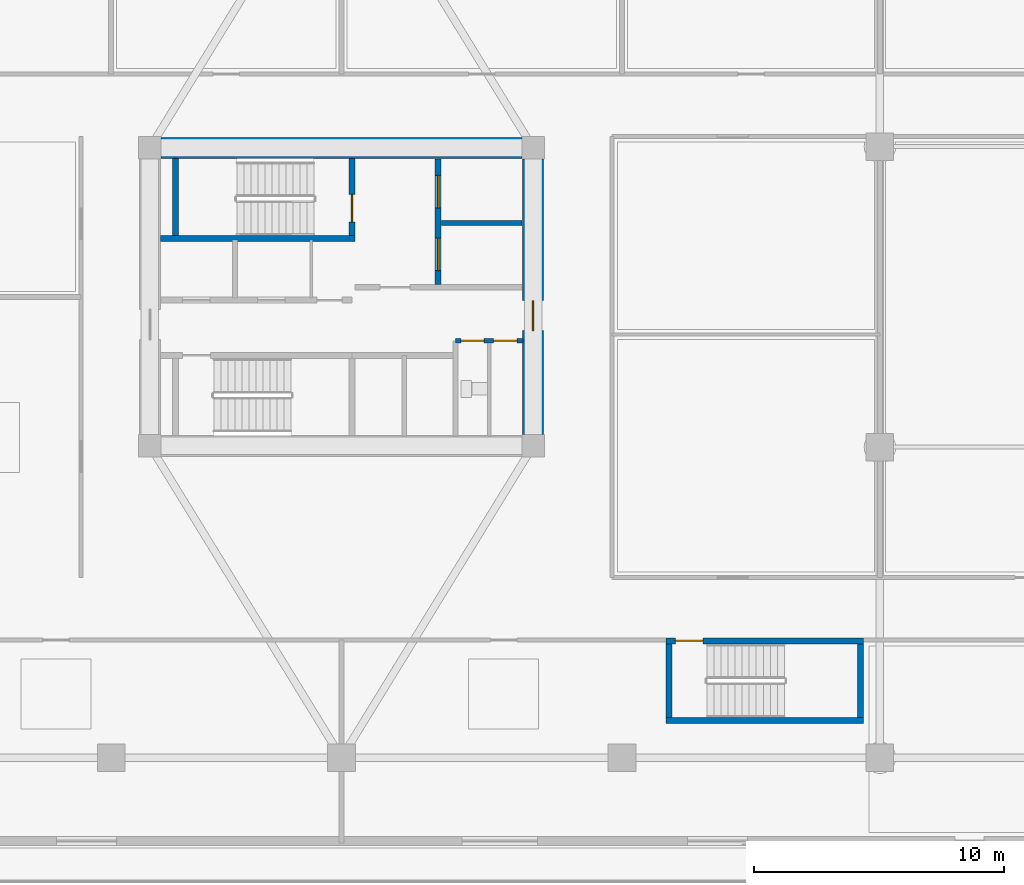
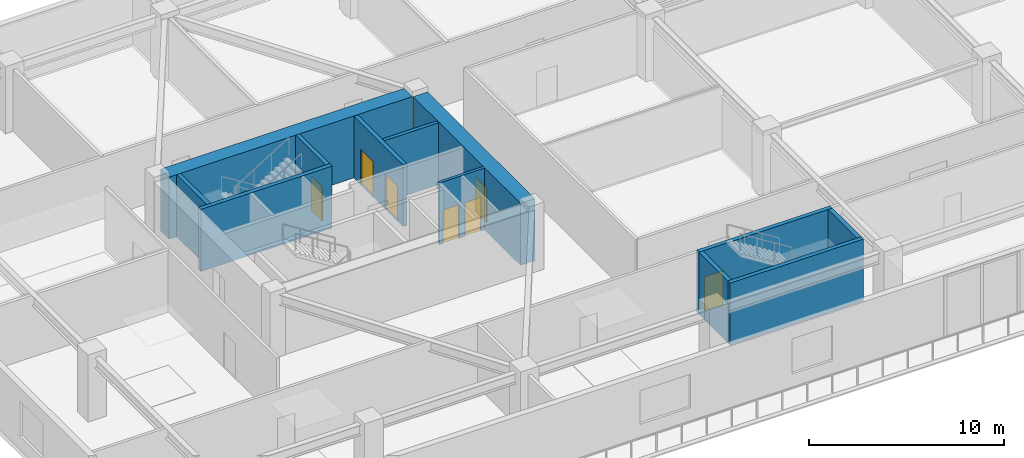
# One storey, part 5 of 23: 12 walls, 7 doors, 7 openings.
"""IFC4 building model written with IfcOpenShell, lengths in metres."""

from ifc_helpers import new_model, si_unit, direction, frame, frame_2d, origin, place, context, subcontext, project, spatial, rectangle, extrude, source, transform, mapped, material, layer, layer_set, type_object, type_shapes, element, fill, save


model = new_model("IFC4")

# Units and contexts
model_context = context("Model", 3, precision=1e-05, world=origin(), true_north=direction((0.0, 1.0)))
body_context = subcontext(model_context, "Body", "Model", "MODEL_VIEW")
ifc_project = project(units=[si_unit("LENGTHUNIT", "METRE"), si_unit("AREAUNIT", "SQUARE_METRE"), si_unit("VOLUMEUNIT", "CUBIC_METRE"), si_unit("PLANEANGLEUNIT", "RADIAN"), si_unit("MASSUNIT", "GRAM", prefix="KILO")], contexts=[model_context])

# Site, building, storey
site_placement = place(None, origin())
site = spatial("IfcSite", under=ifc_project, at=site_placement, CompositionType="ELEMENT")
building_placement = place(site_placement, origin())
building = spatial("IfcBuilding", under=site, at=building_placement, Name="Norrkilde Senior Care Towers", CompositionType="ELEMENT")
storey_placement = place(building_placement, frame((0.0, 0.0, 8.39990234375)))
storey = spatial("IfcBuildingStorey", under=building, at=storey_placement, Name="L02", CompositionType="ELEMENT", Elevation=8.39990234375)

# Wall
ifc_material_1 = material(Name="Concrete C60/75", Category="concrete")
ifc_layer_1 = layer(ifc_material_1, 0.85009765625)
ifc_layer_set_1 = layer_set([ifc_layer_1], Name="Concrete C60/75")
wall_type_1 = type_object("IfcWallType", Name="Core Shear Wall Z1 850", PredefinedType="SHEAR", material=ifc_layer_set_1)
shared_shape_1 = source(origin(), body_context, "Body", "SweptSolid", [
    extrude(rectangle(XDim=14.39990234375, YDim=0.85009765625, at=frame_2d((7.199951171875, 0.0))), origin(), (0.0, 0.0, 1.0), 3.880126953125),
])
wall_1_placement = place(storey_placement, frame((-35.199951171875, 5.949951171875, 0.0), z_axis=(0.0, 0.0, 1.0), x_axis=(1.0, 0.0, 0.0)))
element("IfcWall", 1, at=wall_1_placement, inside=storey, type_object=wall_type_1, Name="L02 Core W North Shear Wall", PredefinedType="SHEAR", context=body_context, shape_type="MappedRepresentation", body=[
    mapped(shared_shape_1, transform((0.0, 0.0, 0.0), x_axis=(1.0, 0.0, 0.0), y_axis=(0.0, 1.0, 0.0), z_axis=(0.0, 0.0, 1.0), scale=1.0)),
])

# Wall, opening, door
shared_shape_2 = source(origin(), body_context, "Body", "SweptSolid", [
    extrude(rectangle(XDim=11.0, YDim=0.85009765625, at=frame_2d((5.5, 0.0))), origin(), (0.0, 0.0, 1.0), 3.880126953125),
])
type_shapes(wall_type_1, [shared_shape_1, shared_shape_2])
wall_2_placement = place(storey_placement, frame((-20.35009765625, 5.5, 0.0), z_axis=(0.0, 0.0, 1.0), x_axis=(0.0, -1.0, 0.0)))
wall_2 = element("IfcWall", 2, at=wall_2_placement, inside=storey, type_object=wall_type_1, Name="L02 Core W East Shear Wall", PredefinedType="SHEAR", context=body_context, shape_type="MappedRepresentation", body=[
    mapped(shared_shape_2, transform((0.0, 0.0, 0.0), x_axis=(1.0, 0.0, 0.0), y_axis=(0.0, 1.0, 0.0), z_axis=(0.0, 0.0, 1.0), scale=1.0)),
])
opening_1_placement = place(wall_2_placement, frame((5.64990234375, 0.0, 0.0)))
opening_1 = element("IfcOpeningElement", 3, at=opening_1_placement, cuts=wall_2, Name="Opening D-04", PredefinedType="OPENING", context=body_context, shape_type="SweptSolid", body=[
    extrude(rectangle(XDim=1.199951171875, YDim=2.14990234375, at=frame_2d((0.60009765625, 1.074951171875))), frame((0.0, 0.43505859375, 0.0), z_axis=(0.0, -1.0, 0.0), x_axis=(1.0, 0.0, 0.0)), (0.0, 0.0, 1.0), 0.8701171875),
])
ifc_material_2 = material(Name="Galvanised Painted Steel", Category="steel")
door_type_1 = type_object("IfcDoorType", Name="Firefighting Lobby Fire Door 1200x2150", OperationType="NOTDEFINED", PredefinedType="DOOR", material=ifc_material_2)
shared_shape_3 = source(origin(), body_context, "Body", "SweptSolid", [
    extrude(rectangle(XDim=1.199951171875, YDim=2.14990234375, at=frame_2d((0.60009765625, 1.074951171875))), frame((0.0, 0.02490234375, 0.0), z_axis=(0.0, -1.0, 0.0), x_axis=(1.0, 0.0, 0.0)), (0.0, 0.0, 1.0), 0.050048828125),
])
type_shapes(door_type_1, [shared_shape_3])
door_1_placement = place(opening_1_placement, frame((1.199951171875, 0.0, 0.0), z_axis=(0.0, 0.0, 1.0), x_axis=(-1.0, 0.0, 0.0)))
door_1 = element("IfcDoor", 4, at=door_1_placement, inside=storey, type_object=door_type_1, Name="L02 Core W East Portal Door", OperationType="SINGLE_SWING_RIGHT", OverallHeight=2.14990234375, OverallWidth=1.199951171875, PredefinedType="DOOR", context=body_context, shape_type="MappedRepresentation", body=[
    mapped(shared_shape_3, transform((0.0, 0.0, 0.0), x_axis=(1.0, 0.0, 0.0), y_axis=(0.0, 1.0, 0.0), z_axis=(0.0, 0.0, 1.0), scale=1.0)),
])
fill(opening_1, door_1)

# Wall, openings, doors
ifc_material_3 = material(Name="Concrete C45/55", Category="concrete")
ifc_layer_2 = layer(ifc_material_3, 0.239990234375)
ifc_layer_set_2 = layer_set([ifc_layer_2], Name="Concrete C45/55")
wall_type_2 = type_object("IfcWallType", Name="Lift and Plant Rated Enclosure Partition 240", PredefinedType="PARTITIONING", material=ifc_layer_set_2)
shared_shape_4 = source(origin(), body_context, "Body", "SweptSolid", [
    extrude(rectangle(XDim=5.0, YDim=0.239990234375, at=frame_2d((2.5, 0.0))), origin(), (0.0, 0.0, 1.0), 3.864990234375),
])
type_shapes(wall_type_2, [shared_shape_4])
wall_3_placement = place(storey_placement, frame((-24.139892578125, 0.5, 0.0), z_axis=(0.0, 0.0, 1.0), x_axis=(0.0, 1.0, 0.0)))
wall_3 = element("IfcWall", 5, at=wall_3_placement, inside=storey, type_object=wall_type_2, Name="WL-INT-L02-W-FFLE", PredefinedType="PARTITIONING", context=body_context, shape_type="MappedRepresentation", body=[
    mapped(shared_shape_4, transform((0.0, 0.0, 0.0), x_axis=(1.0, 0.0, 0.0), y_axis=(0.0, 1.0, 0.0), z_axis=(0.0, 0.0, 1.0), scale=1.0)),
])
opening_2_placement = place(wall_3_placement, frame((3.050048828125, 0.0, 0.0)))
opening_2 = element("IfcOpeningElement", 6, at=opening_2_placement, cuts=wall_3, Name="Opening LD-02", PredefinedType="OPENING", context=body_context, shape_type="SweptSolid", body=[
    extrude(rectangle(XDim=1.300048828125, YDim=2.199951171875, at=frame_2d((0.64990234375, 1.10009765625))), frame((0.0, 0.1298828125, 0.0), z_axis=(0.0, -1.0, 0.0), x_axis=(1.0, 0.0, 0.0)), (0.0, 0.0, 1.0), 0.260009765625),
])
opening_3_placement = place(wall_3_placement, frame((0.550048828125, 0.0, 0.0)))
opening_3 = element("IfcOpeningElement", 7, at=opening_3_placement, cuts=wall_3, Name="Opening LD-02", PredefinedType="OPENING", context=body_context, shape_type="SweptSolid", body=[
    extrude(rectangle(XDim=1.300048828125, YDim=2.199951171875, at=frame_2d((0.64990234375, 1.10009765625))), frame((0.0, 0.1298828125, 0.0), z_axis=(0.0, -1.0, 0.0), x_axis=(1.0, 0.0, 0.0)), (0.0, 0.0, 1.0), 0.260009765625),
])
ifc_material_4 = material(Name="Stainless Steel", Category="steel")
door_type_2 = type_object("IfcDoorType", Name="Stretcher and FFL Landing Sliding Door 1300x2200", OperationType="NOTDEFINED", PredefinedType="DOOR", material=ifc_material_4)
shared_shape_5 = source(origin(), body_context, "Body", "SweptSolid", [
    extrude(rectangle(XDim=1.300048828125, YDim=2.199951171875, at=frame_2d((0.64990234375, 1.10009765625))), frame((0.0, 0.02490234375, 0.0), z_axis=(0.0, -1.0, 0.0), x_axis=(1.0, 0.0, 0.0)), (0.0, 0.0, 1.0), 0.050048828125),
])
type_shapes(door_type_2, [shared_shape_5])
door_2_placement = place(opening_2_placement, origin())
door_2 = element("IfcDoor", 8, at=door_2_placement, inside=storey, type_object=door_type_2, Name="L02 Firefighting Lift W1 Landing Door", OperationType="SLIDING_TO_LEFT", OverallHeight=2.199951171875, OverallWidth=1.300048828125, PredefinedType="DOOR", context=body_context, shape_type="MappedRepresentation", body=[
    mapped(shared_shape_5, transform((0.0, 0.0, 0.0), x_axis=(1.0, 0.0, 0.0), y_axis=(0.0, 1.0, 0.0), z_axis=(0.0, 0.0, 1.0), scale=1.0)),
])
fill(opening_2, door_2)
door_3_placement = place(opening_3_placement, origin())
door_3 = element("IfcDoor", 9, at=door_3_placement, inside=storey, type_object=door_type_2, Name="L02 Stretcher Lift W1 Landing Door", OperationType="SLIDING_TO_RIGHT", OverallHeight=2.199951171875, OverallWidth=1.300048828125, PredefinedType="DOOR", context=body_context, shape_type="MappedRepresentation", body=[
    mapped(shared_shape_5, transform((0.0, 0.0, 0.0), x_axis=(1.0, 0.0, 0.0), y_axis=(0.0, 1.0, 0.0), z_axis=(0.0, 0.0, 1.0), scale=1.0)),
])
fill(opening_3, door_3)

# Wall
ifc_layer_3 = layer(ifc_material_3, 0.199951171875)
ifc_layer_set_3 = layer_set([ifc_layer_3], Name="Concrete C45/55")
wall_type_3 = type_object("IfcWallType", Name="Shaft Division and Plant Partition 200", PredefinedType="PARTITIONING", material=ifc_layer_set_3)
shared_shape_6 = source(origin(), body_context, "Body", "SweptSolid", [
    extrude(rectangle(XDim=3.199951171875, YDim=0.199951171875, at=frame_2d((1.60009765625, 0.0))), origin(), (0.0, 0.0, 1.0), 3.864990234375),
])
type_shapes(wall_type_3, [shared_shape_6])
wall_4_placement = place(storey_placement, frame((-24.0, 2.949951171875, 0.0), z_axis=(0.0, 0.0, 1.0), x_axis=(1.0, 0.0, 0.0)))
element("IfcWall", 10, at=wall_4_placement, inside=storey, type_object=wall_type_3, Name="WL-INT-L02-W-FFLDIV", PredefinedType="PARTITIONING", context=body_context, shape_type="MappedRepresentation", body=[
    mapped(shared_shape_6, transform((0.0, 0.0, 0.0), x_axis=(1.0, 0.0, 0.0), y_axis=(0.0, 1.0, 0.0), z_axis=(0.0, 0.0, 1.0), scale=1.0)),
])

# Wall, openings, doors
ifc_material_5 = material(Name="Gypsum Acoustic Board")
ifc_layer_4 = layer(ifc_material_5, 0.1650390625)
ifc_layer_set_4 = layer_set([ifc_layer_4], Name="Gypsum Acoustic Board")
wall_type_4 = type_object("IfcWallType", Name="Corridor Rated Partition 165", PredefinedType="PARTITIONING", material=ifc_layer_set_4)
shared_shape_7 = source(origin(), body_context, "Body", "SweptSolid", [
    extrude(rectangle(XDim=2.699951171875, YDim=0.1650390625, at=frame_2d((1.35009765625, 0.0))), origin(), (0.0, 0.0, 1.0), 3.864990234375),
])
type_shapes(wall_type_4, [shared_shape_7])
wall_5_placement = place(storey_placement, frame((-23.449951171875, -1.75, 0.0), z_axis=(0.0, 0.0, 1.0), x_axis=(1.0, 0.0, 0.0)))
wall_5 = element("IfcWall", 11, at=wall_5_placement, inside=storey, type_object=wall_type_4, Name="WL-INT-L02-W-CSN", PredefinedType="PARTITIONING", context=body_context, shape_type="MappedRepresentation", body=[
    mapped(shared_shape_7, transform((0.0, 0.0, 0.0), x_axis=(1.0, 0.0, 0.0), y_axis=(0.0, 1.0, 0.0), z_axis=(0.0, 0.0, 1.0), scale=1.0)),
])
opening_4_placement = place(wall_5_placement, frame((0.222412109375, 0.0, 0.0)))
opening_4 = element("IfcOpeningElement", 12, at=opening_4_placement, cuts=wall_5, Name="Opening D-12", PredefinedType="OPENING", context=body_context, shape_type="SweptSolid", body=[
    extrude(rectangle(XDim=0.925048828125, YDim=2.10009765625, at=frame_2d((0.46240234375, 1.050048828125))), frame((0.0, 0.092529296875, 0.0), z_axis=(0.0, -1.0, 0.0), x_axis=(1.0, 0.0, 0.0)), (0.0, 0.0, 1.0), 0.18505859375),
])
opening_5_placement = place(wall_5_placement, frame((1.5224609375, 0.0, 0.0)))
opening_5 = element("IfcOpeningElement", 13, at=opening_5_placement, cuts=wall_5, Name="Opening D-12", PredefinedType="OPENING", context=body_context, shape_type="SweptSolid", body=[
    extrude(rectangle(XDim=0.925048828125, YDim=2.10009765625, at=frame_2d((0.46240234375, 1.050048828125))), frame((0.0, 0.092529296875, 0.0), z_axis=(0.0, -1.0, 0.0), x_axis=(1.0, 0.0, 0.0)), (0.0, 0.0, 1.0), 0.18505859375),
])
door_type_3 = type_object("IfcDoorType", Name="Core Wet Room Rated Door 925x2100", OperationType="NOTDEFINED", PredefinedType="DOOR", material=ifc_material_2)
shared_shape_8 = source(origin(), body_context, "Body", "SweptSolid", [
    extrude(rectangle(XDim=0.925048828125, YDim=2.10009765625, at=frame_2d((0.46240234375, 1.050048828125))), frame((0.0, 0.02490234375, 0.0), z_axis=(0.0, -1.0, 0.0), x_axis=(1.0, 0.0, 0.0)), (0.0, 0.0, 1.0), 0.050048828125),
])
type_shapes(door_type_3, [shared_shape_8])
door_4_placement = place(opening_4_placement, origin())
door_4 = element("IfcDoor", 14, at=door_4_placement, inside=storey, type_object=door_type_3, Name="L02 Staff Accessible WC W Door", OperationType="SINGLE_SWING_LEFT", OverallHeight=2.10009765625, OverallWidth=0.925048828125, PredefinedType="DOOR", context=body_context, shape_type="MappedRepresentation", body=[
    mapped(shared_shape_8, transform((0.0, 0.0, 0.0), x_axis=(1.0, 0.0, 0.0), y_axis=(0.0, 1.0, 0.0), z_axis=(0.0, 0.0, 1.0), scale=1.0)),
])
fill(opening_4, door_4)
door_5_placement = place(opening_5_placement, origin())
door_5 = element("IfcDoor", 15, at=door_5_placement, inside=storey, type_object=door_type_3, Name="L02 Housekeeping Store W Door", OperationType="SINGLE_SWING_RIGHT", OverallHeight=2.10009765625, OverallWidth=0.925048828125, PredefinedType="DOOR", context=body_context, shape_type="MappedRepresentation", body=[
    mapped(shared_shape_8, transform((0.0, 0.0, 0.0), x_axis=(1.0, 0.0, 0.0), y_axis=(0.0, 1.0, 0.0), z_axis=(0.0, 0.0, 1.0), scale=1.0)),
])
fill(opening_5, door_5)

# Walls
ifc_layer_5 = layer(ifc_material_3, 0.239990234375)
ifc_layer_set_5 = layer_set([ifc_layer_5], Name="Concrete C45/55")
wall_type_5 = type_object("IfcWallType", Name="Shaft and Stair Enclosure Wall 240", PredefinedType="PARTITIONING", material=ifc_layer_set_5)
shared_shape_9 = source(origin(), body_context, "Body", "SweptSolid", [
    extrude(rectangle(XDim=7.76513671875, YDim=0.239990234375, at=frame_2d((3.882568359375, 0.0))), origin(), (0.0, 0.0, 1.0), 3.880126953125),
])
wall_6_placement = place(storey_placement, frame((-35.22509765625, 2.330078125, 0.0), z_axis=(0.0, 0.0, 1.0), x_axis=(1.0, 0.0, 0.0)))
element("IfcWall", 16, at=wall_6_placement, inside=storey, type_object=wall_type_5, Name="WL-INT-L02-W-ST1S", PredefinedType="PARTITIONING", context=body_context, shape_type="MappedRepresentation", body=[
    mapped(shared_shape_9, transform((0.0, 0.0, 0.0), x_axis=(1.0, 0.0, 0.0), y_axis=(0.0, 1.0, 0.0), z_axis=(0.0, 0.0, 1.0), scale=1.0)),
])
shared_shape_10 = source(origin(), body_context, "Body", "SweptSolid", [
    extrude(rectangle(XDim=3.074951171875, YDim=0.239990234375, at=frame_2d((1.53759765625, 0.0))), origin(), (0.0, 0.0, 1.0), 3.880126953125),
])
wall_7_placement = place(storey_placement, frame((-34.6201171875, 2.449951171875, 0.0), z_axis=(0.0, 0.0, 1.0), x_axis=(0.0, 1.0, 0.0)))
element("IfcWall", 17, at=wall_7_placement, inside=storey, type_object=wall_type_5, Name="WL-INT-L02-W-ST1W", PredefinedType="PARTITIONING", context=body_context, shape_type="MappedRepresentation", body=[
    mapped(shared_shape_10, transform((0.0, 0.0, 0.0), x_axis=(1.0, 0.0, 0.0), y_axis=(0.0, 1.0, 0.0), z_axis=(0.0, 0.0, 1.0), scale=1.0)),
])

# Wall, opening, door
wall_8_placement = place(storey_placement, frame((-27.580078125, 2.449951171875, 0.0), z_axis=(0.0, 0.0, 1.0), x_axis=(0.0, 1.0, 0.0)))
wall_8 = element("IfcWall", 18, at=wall_8_placement, inside=storey, type_object=wall_type_5, Name="WL-INT-L02-W-ST1E", PredefinedType="PARTITIONING", context=body_context, shape_type="MappedRepresentation", body=[
    mapped(shared_shape_10, transform((0.0, 0.0, 0.0), x_axis=(1.0, 0.0, 0.0), y_axis=(0.0, 1.0, 0.0), z_axis=(0.0, 0.0, 1.0), scale=1.0)),
])
opening_6_placement = place(wall_8_placement, frame((0.550048828125, 0.0, 0.0)))
opening_6 = element("IfcOpeningElement", 19, at=opening_6_placement, cuts=wall_8, Name="Opening D-03", PredefinedType="OPENING", context=body_context, shape_type="SweptSolid", body=[
    extrude(rectangle(XDim=1.10009765625, YDim=2.14990234375, at=frame_2d((0.550048828125, 1.074951171875))), frame((0.0, 0.1298828125, 0.0), z_axis=(0.0, -1.0, 0.0), x_axis=(1.0, 0.0, 0.0)), (0.0, 0.0, 1.0), 0.260009765625),
])
door_type_4 = type_object("IfcDoorType", Name="Stairwell Protected Fire Door 1100x2150", OperationType="NOTDEFINED", PredefinedType="DOOR", material=ifc_material_2)
shared_shape_11 = source(origin(), body_context, "Body", "SweptSolid", [
    extrude(rectangle(XDim=1.10009765625, YDim=2.14990234375, at=frame_2d((0.550048828125, 1.074951171875))), frame((0.0, 0.02490234375, 0.0), z_axis=(0.0, -1.0, 0.0), x_axis=(1.0, 0.0, 0.0)), (0.0, 0.0, 1.0), 0.050048828125),
])
type_shapes(door_type_4, [shared_shape_11])
door_6_placement = place(opening_6_placement, origin())
door_6 = element("IfcDoor", 20, at=door_6_placement, inside=storey, type_object=door_type_4, Name="L02 Stair W1 Fire Door", OperationType="SINGLE_SWING_LEFT", OverallHeight=2.14990234375, OverallWidth=1.10009765625, PredefinedType="DOOR", context=body_context, shape_type="MappedRepresentation", body=[
    mapped(shared_shape_11, transform((0.0, 0.0, 0.0), x_axis=(1.0, 0.0, 0.0), y_axis=(0.0, 1.0, 0.0), z_axis=(0.0, 0.0, 1.0), scale=1.0)),
])
fill(opening_6, door_6)

shared_shape_12 = source(origin(), body_context, "Body", "SweptSolid", [
    extrude(rectangle(XDim=7.880126953125, YDim=0.239990234375, at=frame_2d((3.93994140625, 0.0))), origin(), (0.0, 0.0, 1.0), 3.880126953125),
])
wall_9_placement = place(storey_placement, frame((-15.0400390625, -13.72998046875, 0.0), z_axis=(0.0, 0.0, 1.0), x_axis=(1.0, 0.0, 0.0)))
wall_9 = element("IfcWall", 21, at=wall_9_placement, inside=storey, type_object=wall_type_5, Name="WL-INT-L02-STP1-N", PredefinedType="PARTITIONING", context=body_context, shape_type="MappedRepresentation", body=[
    mapped(shared_shape_12, transform((0.0, 0.0, 0.0), x_axis=(1.0, 0.0, 0.0), y_axis=(0.0, 1.0, 0.0), z_axis=(0.0, 0.0, 1.0), scale=1.0)),
])
opening_7_placement = place(wall_9_placement, frame((0.3701171875, 0.0, 0.0)))
opening_7 = element("IfcOpeningElement", 22, at=opening_7_placement, cuts=wall_9, Name="Opening D-03", PredefinedType="OPENING", context=body_context, shape_type="SweptSolid", body=[
    extrude(rectangle(XDim=1.10009765625, YDim=2.14990234375, at=frame_2d((0.550048828125, 1.074951171875))), frame((0.0, 0.1298828125, 0.0), z_axis=(0.0, -1.0, 0.0), x_axis=(1.0, 0.0, 0.0)), (0.0, 0.0, 1.0), 0.260009765625),
])
door_7_placement = place(opening_7_placement, origin())
door_7 = element("IfcDoor", 23, at=door_7_placement, inside=storey, type_object=door_type_4, Name="L02 Podium Stair P1 Door", OperationType="SINGLE_SWING_LEFT", OverallHeight=2.14990234375, OverallWidth=1.10009765625, PredefinedType="DOOR", context=body_context, shape_type="MappedRepresentation", body=[
    mapped(shared_shape_11, transform((0.0, 0.0, 0.0), x_axis=(1.0, 0.0, 0.0), y_axis=(0.0, 1.0, 0.0), z_axis=(0.0, 0.0, 1.0), scale=1.0)),
])
fill(opening_7, door_7)

# Walls
wall_10_placement = place(storey_placement, frame((-15.0400390625, -16.919921875, 0.0), z_axis=(0.0, 0.0, 1.0), x_axis=(1.0, 0.0, 0.0)))
element("IfcWall", 24, at=wall_10_placement, inside=storey, type_object=wall_type_5, Name="WL-INT-L02-STP1-S", PredefinedType="PARTITIONING", context=body_context, shape_type="MappedRepresentation", body=[
    mapped(shared_shape_12, transform((0.0, 0.0, 0.0), x_axis=(1.0, 0.0, 0.0), y_axis=(0.0, 1.0, 0.0), z_axis=(0.0, 0.0, 1.0), scale=1.0)),
])
shared_shape_13 = source(origin(), body_context, "Body", "SweptSolid", [
    extrude(rectangle(XDim=2.949951171875, YDim=0.239990234375, at=frame_2d((1.47509765625, 0.0))), origin(), (0.0, 0.0, 1.0), 3.880126953125),
])
type_shapes(wall_type_5, [shared_shape_9, shared_shape_10, shared_shape_12, shared_shape_13])
for number, where, z_axis, x_axis, name in (
    (25, (-14.919921875, -16.800048828125, 0.0), (0.0, 0.0, 1.0), (0.0, 1.0, 0.0), "WL-INT-L02-STP1-W"),
    (26, (-7.280029296875, -16.800048828125, 0.0), (0.0, 0.0, 1.0), (0.0, 1.0, 0.0), "WL-INT-L02-STP1-E"),
):
    element("IfcWall", number, at=place(storey_placement, frame(where, z_axis=z_axis, x_axis=x_axis)), inside=storey, type_object=wall_type_5, Name=name, PredefinedType="PARTITIONING", context=body_context, shape_type="MappedRepresentation", body=[
        mapped(shared_shape_13, transform((0.0, 0.0, 0.0), x_axis=(1.0, 0.0, 0.0), y_axis=(0.0, 1.0, 0.0), z_axis=(0.0, 0.0, 1.0), scale=1.0)),
    ])

save(model, "model.ifc")
